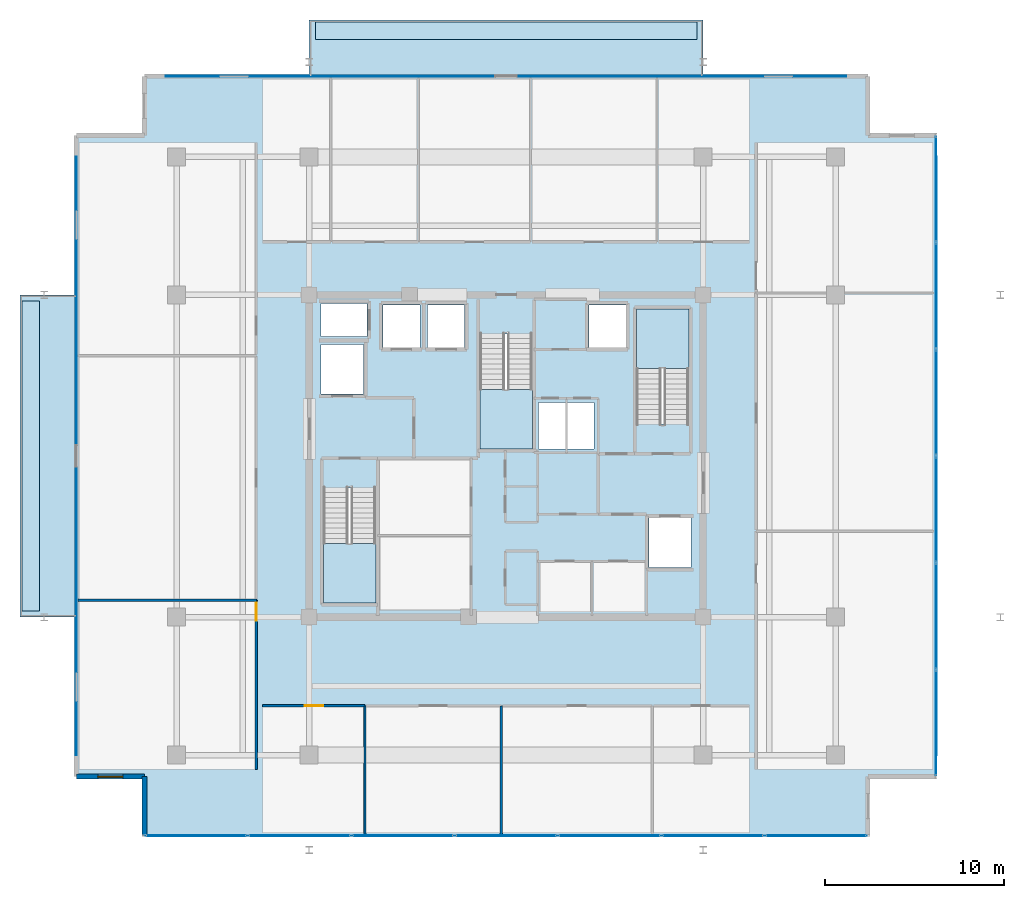
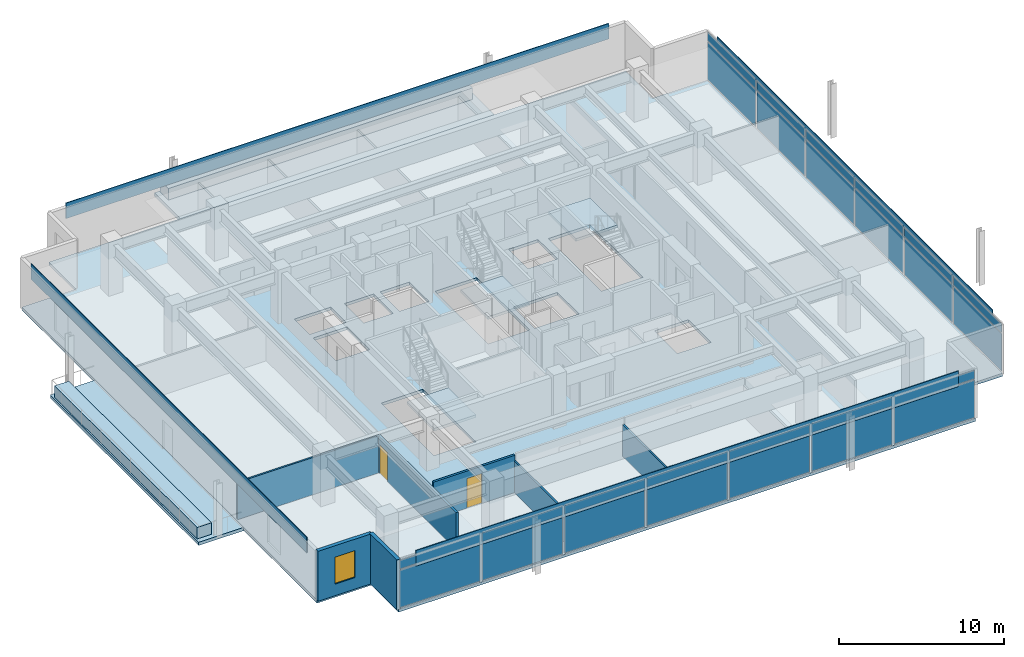
# One storey, part 10 of 18: 30 plates, 8 slabs, 7 walls, 2 doors, 1 window, 3 openings, 5 elements without a shape of their own.
"""IFC4 building model written with IfcOpenShell, lengths in metres."""

from ifc_helpers import new_model, si_unit, direction, frame, frame_2d, origin, origin_2d, place, context, subcontext, project, spatial, polyline, rectangle, outline, extrude, material, layer, layer_set, type_object, element, fill, aggregate, save


model = new_model("IFC4")

# Units and contexts
model_context = context("Model", 3, precision=1e-05, world=origin(), true_north=direction((0.0, 1.0)))
body_context = subcontext(model_context, "Body", "Model", "MODEL_VIEW")
ifc_project = project(units=[si_unit("LENGTHUNIT", "METRE"), si_unit("AREAUNIT", "SQUARE_METRE"), si_unit("VOLUMEUNIT", "CUBIC_METRE"), si_unit("PLANEANGLEUNIT", "RADIAN"), si_unit("MASSUNIT", "GRAM", prefix="KILO")], contexts=[model_context])

# Site, building, storey
site_placement = place(None, origin())
site = spatial("IfcSite", under=ifc_project, at=site_placement, CompositionType="ELEMENT")
building_placement = place(site_placement, origin())
building = spatial("IfcBuilding", under=site, at=building_placement, Name="Kovane Verandah Tower", CompositionType="ELEMENT")
storey_placement = place(building_placement, frame((0.0, 0.0, 338.800048828125)))
storey = spatial("IfcBuildingStorey", under=building, at=storey_placement, Name="L79", CompositionType="ELEMENT", Elevation=338.800048828125)

# Curtain wall, plates
ifc_material_1 = material(Name="Champagne Anodised Aluminium Frame with Low-E Clear Laminated Glass", Category="aluminium")
curtain_wall_type = type_object("IfcCurtainWallType", Name="CW-SYS-05-HIGH", PredefinedType="NOTDEFINED", material=ifc_material_1)
curtain_wall_1_placement = place(storey_placement, origin())
curtain_wall_1 = element("IfcCurtainWall", 1, at=curtain_wall_1_placement, inside=storey, type_object=curtain_wall_type, Name="L79 S Unitised Curtain Wall", PredefinedType="NOTDEFINED")
ifc_material_2 = material(Name="Pale Champagne Anodised Aluminium Insulated Spandrel", Category="aluminium")
ifc_layer_1 = layer(ifc_material_2, 0.0400390625)
ifc_layer_set_1 = layer_set([ifc_layer_1], Name="Pale Champagne Anodised Aluminium Insulated Spandrel")
plate_type_1 = type_object("IfcPlateType", Name="PL-CW-SPD-40", PredefinedType="SHEET", material=ifc_layer_set_1)
plate_1_placement = place(storey_placement, frame((22.685791015625, 6.300048828125, 2.97021484375), z_axis=(0.0, 0.0, 1.0), x_axis=(1.0, 0.0, 0.0)))
plate_1 = element("IfcPlate", 2, at=plate_1_placement, type_object=plate_type_1, Name="L79 S Unitised Curtain Wall Spandrel Panel 1", PredefinedType="SHEET", context=body_context, shape_type="SweptSolid", body=[
    extrude(rectangle(XDim=5.63134765625, YDim=0.0400390625, at=origin_2d()), origin(), (0.0, 0.0, 1.0), 0.639892578125),
])
plate_2_placement = place(storey_placement, frame((28.45703125, 6.300048828125, 2.97021484375), z_axis=(0.0, 0.0, 1.0), x_axis=(1.0, 0.0, 0.0)))
plate_2 = element("IfcPlate", 3, at=plate_2_placement, type_object=plate_type_1, Name="L79 S Unitised Curtain Wall Spandrel Panel 2", PredefinedType="SHEET", context=body_context, shape_type="SweptSolid", body=[
    extrude(rectangle(XDim=5.63134765625, YDim=0.0400390625, at=origin_2d()), origin(), (0.0, 0.0, 1.0), 0.639892578125),
])
plate_3_placement = place(storey_placement, frame((34.228515625, 6.300048828125, 2.97021484375), z_axis=(0.0, 0.0, 1.0), x_axis=(1.0, 0.0, 0.0)))
plate_3 = element("IfcPlate", 4, at=plate_3_placement, type_object=plate_type_1, Name="L79 S Unitised Curtain Wall Spandrel Panel 3", PredefinedType="SHEET", context=body_context, shape_type="SweptSolid", body=[
    extrude(rectangle(XDim=5.63134765625, YDim=0.0400390625, at=origin_2d()), origin(), (0.0, 0.0, 1.0), 0.639892578125),
])
plate_4_placement = place(storey_placement, frame((40.0, 6.300048828125, 2.97021484375), z_axis=(0.0, 0.0, 1.0), x_axis=(1.0, 0.0, 0.0)))
plate_4 = element("IfcPlate", 5, at=plate_4_placement, type_object=plate_type_1, Name="L79 S Unitised Curtain Wall Spandrel Panel 4", PredefinedType="SHEET", context=body_context, shape_type="SweptSolid", body=[
    extrude(rectangle(XDim=5.63134765625, YDim=0.0400390625, at=origin_2d()), origin(), (0.0, 0.0, 1.0), 0.639892578125),
])
plate_5_placement = place(storey_placement, frame((45.771484375, 6.300048828125, 2.97021484375), z_axis=(0.0, 0.0, 1.0), x_axis=(1.0, 0.0, 0.0)))
plate_5 = element("IfcPlate", 6, at=plate_5_placement, type_object=plate_type_1, Name="L79 S Unitised Curtain Wall Spandrel Panel 5", PredefinedType="SHEET", context=body_context, shape_type="SweptSolid", body=[
    extrude(rectangle(XDim=5.63134765625, YDim=0.0400390625, at=origin_2d()), origin(), (0.0, 0.0, 1.0), 0.639892578125),
])
plate_6_placement = place(storey_placement, frame((51.54296875, 6.300048828125, 2.97021484375), z_axis=(0.0, 0.0, 1.0), x_axis=(1.0, 0.0, 0.0)))
plate_6 = element("IfcPlate", 7, at=plate_6_placement, type_object=plate_type_1, Name="L79 S Unitised Curtain Wall Spandrel Panel 6", PredefinedType="SHEET", context=body_context, shape_type="SweptSolid", body=[
    extrude(rectangle(XDim=5.63134765625, YDim=0.0400390625, at=origin_2d()), origin(), (0.0, 0.0, 1.0), 0.639892578125),
])
plate_7_placement = place(storey_placement, frame((57.314208984375, 6.300048828125, 2.97021484375), z_axis=(0.0, 0.0, 1.0), x_axis=(1.0, 0.0, 0.0)))
plate_7 = element("IfcPlate", 8, at=plate_7_placement, type_object=plate_type_1, Name="L79 S Unitised Curtain Wall Spandrel Panel 7", PredefinedType="SHEET", context=body_context, shape_type="SweptSolid", body=[
    extrude(rectangle(XDim=5.63134765625, YDim=0.0400390625, at=origin_2d()), origin(), (0.0, 0.0, 1.0), 0.639892578125),
])

curtain_wall_2_placement = place(storey_placement, origin())
curtain_wall_2 = element("IfcCurtainWall", 9, at=curtain_wall_2_placement, inside=storey, type_object=curtain_wall_type, Name="L79 E Unitised Curtain Wall", PredefinedType="NOTDEFINED")
plate_8_placement = place(storey_placement, frame((64.0, 12.583251953125, 2.97021484375), z_axis=(0.0, 0.0, 1.0), x_axis=(0.0, 1.0, 0.0)))
plate_8 = element("IfcPlate", 10, at=plate_8_placement, type_object=plate_type_1, Name="L79 E Unitised Curtain Wall Spandrel Panel 1", PredefinedType="SHEET", context=body_context, shape_type="SweptSolid", body=[
    extrude(rectangle(XDim=5.82666015625, YDim=0.0400390625, at=origin_2d()), origin(), (0.0, 0.0, 1.0), 0.639892578125),
])
plate_9_placement = place(storey_placement, frame((64.0, 18.550048828125, 2.97021484375), z_axis=(0.0, 0.0, 1.0), x_axis=(0.0, 1.0, 0.0)))
plate_9 = element("IfcPlate", 11, at=plate_9_placement, type_object=plate_type_1, Name="L79 E Unitised Curtain Wall Spandrel Panel 2", PredefinedType="SHEET", context=body_context, shape_type="SweptSolid", body=[
    extrude(rectangle(XDim=5.82666015625, YDim=0.0400390625, at=origin_2d()), origin(), (0.0, 0.0, 1.0), 0.639892578125),
])
plate_10_placement = place(storey_placement, frame((64.0, 24.5166015625, 2.97021484375), z_axis=(0.0, 0.0, 1.0), x_axis=(0.0, 1.0, 0.0)))
plate_10 = element("IfcPlate", 12, at=plate_10_placement, type_object=plate_type_1, Name="L79 E Unitised Curtain Wall Spandrel Panel 3", PredefinedType="SHEET", context=body_context, shape_type="SweptSolid", body=[
    extrude(rectangle(XDim=5.82666015625, YDim=0.0400390625, at=origin_2d()), origin(), (0.0, 0.0, 1.0), 0.639892578125),
])
plate_11_placement = place(storey_placement, frame((64.0, 30.4833984375, 2.97021484375), z_axis=(0.0, 0.0, 1.0), x_axis=(0.0, 1.0, 0.0)))
plate_11 = element("IfcPlate", 13, at=plate_11_placement, type_object=plate_type_1, Name="L79 E Unitised Curtain Wall Spandrel Panel 4", PredefinedType="SHEET", context=body_context, shape_type="SweptSolid", body=[
    extrude(rectangle(XDim=5.82666015625, YDim=0.0400390625, at=origin_2d()), origin(), (0.0, 0.0, 1.0), 0.639892578125),
])
plate_12_placement = place(storey_placement, frame((64.0, 36.449951171875, 2.97021484375), z_axis=(0.0, 0.0, 1.0), x_axis=(0.0, 1.0, 0.0)))
plate_12 = element("IfcPlate", 14, at=plate_12_placement, type_object=plate_type_1, Name="L79 E Unitised Curtain Wall Spandrel Panel 5", PredefinedType="SHEET", context=body_context, shape_type="SweptSolid", body=[
    extrude(rectangle(XDim=5.82666015625, YDim=0.0400390625, at=origin_2d()), origin(), (0.0, 0.0, 1.0), 0.639892578125),
])
plate_13_placement = place(storey_placement, frame((64.0, 42.416748046875, 2.97021484375), z_axis=(0.0, 0.0, 1.0), x_axis=(0.0, 1.0, 0.0)))
plate_13 = element("IfcPlate", 15, at=plate_13_placement, type_object=plate_type_1, Name="L79 E Unitised Curtain Wall Spandrel Panel 6", PredefinedType="SHEET", context=body_context, shape_type="SweptSolid", body=[
    extrude(rectangle(XDim=5.82666015625, YDim=0.0400390625, at=origin_2d()), origin(), (0.0, 0.0, 1.0), 0.639892578125),
])

# Plate
ifc_material_3 = material(Name="Clear Low-E Laminated Double Glazing", Category="glass")
ifc_layer_2 = layer(ifc_material_3, 0.031982421875)
ifc_layer_set_2 = layer_set([ifc_layer_2], Name="Clear Low-E Laminated Double Glazing")
plate_type_2 = type_object("IfcPlateType", Name="PL-CW-VIS-32", PredefinedType="CURTAIN_PANEL", material=ifc_layer_set_2)
plate_14_placement = place(storey_placement, frame((22.685791015625, 6.300048828125, 0.099853515625), z_axis=(0.0, 0.0, 1.0), x_axis=(1.0, 0.0, 0.0)))
plate_14 = element("IfcPlate", 16, at=plate_14_placement, type_object=plate_type_2, Name="L79 S Unitised Curtain Wall Vision Panel 1", PredefinedType="CURTAIN_PANEL", context=body_context, shape_type="SweptSolid", body=[
    extrude(rectangle(XDim=5.63134765625, YDim=0.031982421875, at=origin_2d()), origin(), (0.0, 0.0, 1.0), 2.77001953125),
])

plate_15_placement = place(storey_placement, frame((28.45703125, 6.300048828125, 0.099853515625), z_axis=(0.0, 0.0, 1.0), x_axis=(1.0, 0.0, 0.0)))
plate_15 = element("IfcPlate", 17, at=plate_15_placement, type_object=plate_type_2, Name="L79 S Unitised Curtain Wall Vision Panel 2", PredefinedType="CURTAIN_PANEL", context=body_context, shape_type="SweptSolid", body=[
    extrude(rectangle(XDim=5.63134765625, YDim=0.031982421875, at=origin_2d()), origin(), (0.0, 0.0, 1.0), 2.77001953125),
])

plate_16_placement = place(storey_placement, frame((34.228515625, 6.300048828125, 0.099853515625), z_axis=(0.0, 0.0, 1.0), x_axis=(1.0, 0.0, 0.0)))
plate_16 = element("IfcPlate", 18, at=plate_16_placement, type_object=plate_type_2, Name="L79 S Unitised Curtain Wall Vision Panel 3", PredefinedType="CURTAIN_PANEL", context=body_context, shape_type="SweptSolid", body=[
    extrude(rectangle(XDim=5.63134765625, YDim=0.031982421875, at=origin_2d()), origin(), (0.0, 0.0, 1.0), 2.77001953125),
])

plate_17_placement = place(storey_placement, frame((40.0, 6.300048828125, 0.099853515625), z_axis=(0.0, 0.0, 1.0), x_axis=(1.0, 0.0, 0.0)))
plate_17 = element("IfcPlate", 19, at=plate_17_placement, type_object=plate_type_2, Name="L79 S Unitised Curtain Wall Vision Panel 4", PredefinedType="CURTAIN_PANEL", context=body_context, shape_type="SweptSolid", body=[
    extrude(rectangle(XDim=5.63134765625, YDim=0.031982421875, at=origin_2d()), origin(), (0.0, 0.0, 1.0), 2.77001953125),
])

plate_18_placement = place(storey_placement, frame((45.771484375, 6.300048828125, 0.099853515625), z_axis=(0.0, 0.0, 1.0), x_axis=(1.0, 0.0, 0.0)))
plate_18 = element("IfcPlate", 20, at=plate_18_placement, type_object=plate_type_2, Name="L79 S Unitised Curtain Wall Vision Panel 5", PredefinedType="CURTAIN_PANEL", context=body_context, shape_type="SweptSolid", body=[
    extrude(rectangle(XDim=5.63134765625, YDim=0.031982421875, at=origin_2d()), origin(), (0.0, 0.0, 1.0), 2.77001953125),
])

plate_19_placement = place(storey_placement, frame((51.54296875, 6.300048828125, 0.099853515625), z_axis=(0.0, 0.0, 1.0), x_axis=(1.0, 0.0, 0.0)))
plate_19 = element("IfcPlate", 21, at=plate_19_placement, type_object=plate_type_2, Name="L79 S Unitised Curtain Wall Vision Panel 6", PredefinedType="CURTAIN_PANEL", context=body_context, shape_type="SweptSolid", body=[
    extrude(rectangle(XDim=5.63134765625, YDim=0.031982421875, at=origin_2d()), origin(), (0.0, 0.0, 1.0), 2.77001953125),
])

plate_20_placement = place(storey_placement, frame((57.314208984375, 6.300048828125, 0.099853515625), z_axis=(0.0, 0.0, 1.0), x_axis=(1.0, 0.0, 0.0)))
plate_20 = element("IfcPlate", 22, at=plate_20_placement, type_object=plate_type_2, Name="L79 S Unitised Curtain Wall Vision Panel 7", PredefinedType="CURTAIN_PANEL", context=body_context, shape_type="SweptSolid", body=[
    extrude(rectangle(XDim=5.63134765625, YDim=0.031982421875, at=origin_2d()), origin(), (0.0, 0.0, 1.0), 2.77001953125),
])

aggregate(curtain_wall_1, [plate_14, plate_1, plate_15, plate_2, plate_16, plate_3, plate_17, plate_4, plate_18, plate_5, plate_19, plate_6, plate_20, plate_7])

plate_21_placement = place(storey_placement, frame((64.0, 12.583251953125, 0.099853515625), z_axis=(0.0, 0.0, 1.0), x_axis=(0.0, 1.0, 0.0)))
plate_21 = element("IfcPlate", 23, at=plate_21_placement, type_object=plate_type_2, Name="L79 E Unitised Curtain Wall Vision Panel 1", PredefinedType="CURTAIN_PANEL", context=body_context, shape_type="SweptSolid", body=[
    extrude(rectangle(XDim=5.82666015625, YDim=0.031982421875, at=origin_2d()), origin(), (0.0, 0.0, 1.0), 2.77001953125),
])

plate_22_placement = place(storey_placement, frame((64.0, 18.550048828125, 0.099853515625), z_axis=(0.0, 0.0, 1.0), x_axis=(0.0, 1.0, 0.0)))
plate_22 = element("IfcPlate", 24, at=plate_22_placement, type_object=plate_type_2, Name="L79 E Unitised Curtain Wall Vision Panel 2", PredefinedType="CURTAIN_PANEL", context=body_context, shape_type="SweptSolid", body=[
    extrude(rectangle(XDim=5.82666015625, YDim=0.031982421875, at=origin_2d()), origin(), (0.0, 0.0, 1.0), 2.77001953125),
])

plate_23_placement = place(storey_placement, frame((64.0, 24.5166015625, 0.099853515625), z_axis=(0.0, 0.0, 1.0), x_axis=(0.0, 1.0, 0.0)))
plate_23 = element("IfcPlate", 25, at=plate_23_placement, type_object=plate_type_2, Name="L79 E Unitised Curtain Wall Vision Panel 3", PredefinedType="CURTAIN_PANEL", context=body_context, shape_type="SweptSolid", body=[
    extrude(rectangle(XDim=5.82666015625, YDim=0.031982421875, at=origin_2d()), origin(), (0.0, 0.0, 1.0), 2.77001953125),
])

plate_24_placement = place(storey_placement, frame((64.0, 30.4833984375, 0.099853515625), z_axis=(0.0, 0.0, 1.0), x_axis=(0.0, 1.0, 0.0)))
plate_24 = element("IfcPlate", 26, at=plate_24_placement, type_object=plate_type_2, Name="L79 E Unitised Curtain Wall Vision Panel 4", PredefinedType="CURTAIN_PANEL", context=body_context, shape_type="SweptSolid", body=[
    extrude(rectangle(XDim=5.82666015625, YDim=0.031982421875, at=origin_2d()), origin(), (0.0, 0.0, 1.0), 2.77001953125),
])

plate_25_placement = place(storey_placement, frame((64.0, 36.449951171875, 0.099853515625), z_axis=(0.0, 0.0, 1.0), x_axis=(0.0, 1.0, 0.0)))
plate_25 = element("IfcPlate", 27, at=plate_25_placement, type_object=plate_type_2, Name="L79 E Unitised Curtain Wall Vision Panel 5", PredefinedType="CURTAIN_PANEL", context=body_context, shape_type="SweptSolid", body=[
    extrude(rectangle(XDim=5.82666015625, YDim=0.031982421875, at=origin_2d()), origin(), (0.0, 0.0, 1.0), 2.77001953125),
])

plate_26_placement = place(storey_placement, frame((64.0, 42.416748046875, 0.099853515625), z_axis=(0.0, 0.0, 1.0), x_axis=(0.0, 1.0, 0.0)))
plate_26 = element("IfcPlate", 28, at=plate_26_placement, type_object=plate_type_2, Name="L79 E Unitised Curtain Wall Vision Panel 6", PredefinedType="CURTAIN_PANEL", context=body_context, shape_type="SweptSolid", body=[
    extrude(rectangle(XDim=5.82666015625, YDim=0.031982421875, at=origin_2d()), origin(), (0.0, 0.0, 1.0), 2.77001953125),
])

aggregate(curtain_wall_2, [plate_21, plate_8, plate_22, plate_9, plate_23, plate_10, plate_24, plate_11, plate_25, plate_12, plate_26, plate_13])

# Plates
ifc_material_4 = material(Name="Perforated Pale Champagne Anodised Aluminium Solar Screen", Category="aluminium")
ifc_layer_3 = layer(ifc_material_4, 0.050048828125)
ifc_layer_set_3 = layer_set([ifc_layer_3], Name="Perforated Pale Champagne Anodised Aluminium Solar Screen")
plate_type_3 = type_object("IfcPlateType", Name="PL-SCREEN-50", PredefinedType="USERDEFINED", material=ifc_layer_set_3)
plate_27_placement = place(storey_placement, frame((40.0, 6.284912109375, 2.800048828125), z_axis=(0.0, 0.0, 1.0), x_axis=(1.0, 0.0, 0.0)))
element("IfcPlate", 29, at=plate_27_placement, inside=storey, type_object=plate_type_3, Name="L79 S Perforated Champagne-Gold Solar Screen", ObjectType="SCREEN", PredefinedType="USERDEFINED", context=body_context, shape_type="SweptSolid", body=[
    extrude(rectangle(XDim=38.0, YDim=0.050048828125, at=origin_2d()), origin(), (0.0, 0.0, 1.0), 1.14990234375),
])
plate_28_placement = place(storey_placement, frame((64.014892578125, 27.5, 2.800048828125), z_axis=(0.0, 0.0, 1.0), x_axis=(0.0, 1.0, 0.0)))
element("IfcPlate", 30, at=plate_28_placement, inside=storey, type_object=plate_type_3, Name="L79 E Perforated Champagne-Gold Solar Screen", ObjectType="SCREEN", PredefinedType="USERDEFINED", context=body_context, shape_type="SweptSolid", body=[
    extrude(rectangle(XDim=33.39990234375, YDim=0.050048828125, at=origin_2d()), origin(), (0.0, 0.0, 1.0), 1.14990234375),
])
plate_29_placement = place(storey_placement, frame((40.0, 48.715087890625, 2.800048828125), z_axis=(0.0, 0.0, 1.0), x_axis=(-1.0, 0.0, 0.0)))
element("IfcPlate", 31, at=plate_29_placement, inside=storey, type_object=plate_type_3, Name="L79 N Perforated Champagne-Gold Solar Screen", ObjectType="SCREEN", PredefinedType="USERDEFINED", context=body_context, shape_type="SweptSolid", body=[
    extrude(rectangle(XDim=38.0, YDim=0.050048828125, at=origin_2d()), origin(), (0.0, 0.0, 1.0), 1.14990234375),
])
plate_30_placement = place(storey_placement, frame((15.985107421875, 27.5, 2.800048828125), z_axis=(0.0, 0.0, 1.0), x_axis=(0.0, -1.0, 0.0)))
element("IfcPlate", 32, at=plate_30_placement, inside=storey, type_object=plate_type_3, Name="L79 W Perforated Champagne-Gold Solar Screen", ObjectType="SCREEN", PredefinedType="USERDEFINED", context=body_context, shape_type="SweptSolid", body=[
    extrude(rectangle(XDim=33.39990234375, YDim=0.050048828125, at=origin_2d()), origin(), (0.0, 0.0, 1.0), 1.14990234375),
])

# Slabs
ifc_material_5 = material(Name="Concrete C45/55", Category="concrete")
ifc_layer_4 = layer(ifc_material_5, 0.239990234375)
ifc_layer_set_4 = layer_set([ifc_layer_4], Name="Concrete C45/55")
slab_type_1 = type_object("IfcSlabType", Name="SL-BALC-240", PredefinedType="FLOOR", material=ifc_layer_set_4)
slab_1_placement = place(storey_placement, frame((0.0, 0.0, -0.239990234375)))
element("IfcSlab", 33, at=slab_1_placement, inside=storey, type_object=slab_type_1, Name="L79 N Planted Verandah Balcony Slab", PredefinedType="FLOOR", context=body_context, shape_type="SweptSolid", body=[
    extrude(outline(polyline([(29.0, 48.699951171875), (51.0, 48.699951171875), (51.0, 51.85009765625), (29.0, 51.85009765625), (29.0, 48.699951171875)])), origin(), (0.0, 0.0, 1.0), 0.239990234375),
])
slab_2_placement = place(storey_placement, frame((0.0, 0.0, -0.239990234375)))
element("IfcSlab", 34, at=slab_2_placement, inside=storey, type_object=slab_type_1, Name="L79 W Planted Verandah Balcony Slab", PredefinedType="FLOOR", context=body_context, shape_type="SweptSolid", body=[
    extrude(outline(polyline([(12.85009765625, 18.5), (16.0, 18.5), (16.0, 36.5), (12.85009765625, 36.5), (12.85009765625, 18.5)])), origin(), (0.0, 0.0, 1.0), 0.239990234375),
])
ifc_layer_5 = layer(ifc_material_5, 0.215087890625)
ifc_layer_set_5 = layer_set([ifc_layer_5], Name="Concrete C45/55")
slab_type_2 = type_object("IfcSlabType", Name="SL-HIGH-215", PredefinedType="FLOOR", material=ifc_layer_set_5)
slab_3_placement = place(storey_placement, frame((0.0, 0.0, -0.215087890625)))
element("IfcSlab", 35, at=slab_3_placement, inside=storey, type_object=slab_type_2, Name="L79 Structural Floor Slab", PredefinedType="FLOOR", context=body_context, shape_type="SweptSolid", body=[
    extrude(outline(polyline([(19.800048828125, 6.300048828125), (60.199951171875, 6.300048828125), (60.199951171875, 9.60009765625), (64.0, 9.60009765625), (64.0, 45.39990234375), (60.199951171875, 45.39990234375), (60.199951171875, 48.699951171875), (19.800048828125, 48.699951171875), (19.800048828125, 45.39990234375), (16.0, 45.39990234375), (16.0, 9.60009765625), (19.800048828125, 9.60009765625), (19.800048828125, 6.300048828125)]), holes=[polyline([(29.800048828125, 19.300048828125), (32.719970703125, 19.300048828125), (32.719970703125, 25.705078125), (29.800048828125, 25.705078125), (29.800048828125, 19.300048828125)]), polyline([(47.280029296875, 29.294921875), (50.199951171875, 29.294921875), (50.199951171875, 35.699951171875), (47.280029296875, 35.699951171875), (47.280029296875, 29.294921875)]), polyline([(38.5400390625, 27.89990234375), (41.4599609375, 27.89990234375), (41.4599609375, 34.304931640625), (38.5400390625, 34.304931640625), (38.5400390625, 27.89990234375)]), polyline([(29.669921875, 30.969970703125), (32.030029296875, 30.969970703125), (32.030029296875, 33.72998046875), (29.669921875, 33.72998046875), (29.669921875, 30.969970703125)]), polyline([(47.969970703125, 21.27001953125), (50.330078125, 21.27001953125), (50.330078125, 24.030029296875), (47.969970703125, 24.030029296875), (47.969970703125, 21.27001953125)]), polyline([(29.669921875, 34.169921875), (32.22998046875, 34.169921875), (32.22998046875, 36.030029296875), (29.669921875, 36.030029296875), (29.669921875, 34.169921875)]), polyline([(33.1201171875, 33.570068359375), (35.179931640625, 33.570068359375), (35.179931640625, 35.929931640625), (33.1201171875, 35.929931640625), (33.1201171875, 33.570068359375)]), polyline([(35.6201171875, 33.570068359375), (37.679931640625, 33.570068359375), (37.679931640625, 35.929931640625), (35.6201171875, 35.929931640625), (35.6201171875, 33.570068359375)]), polyline([(44.6201171875, 33.570068359375), (46.679931640625, 33.570068359375), (46.679931640625, 35.929931640625), (44.6201171875, 35.929931640625), (44.6201171875, 33.570068359375)]), polyline([(41.800048828125, 27.89990234375), (44.89990234375, 27.89990234375), (44.89990234375, 30.5), (41.800048828125, 30.5), (41.800048828125, 27.89990234375)])]), origin(), (0.0, 0.0, 1.0), 0.215087890625),
])

# Stair, slab
stair_type = type_object("IfcStairType", Name="ST-CORE-1380", PredefinedType="HALF_TURN_STAIR", material=ifc_material_5)
stair_1_placement = place(storey_placement, origin())
stair_1 = element("IfcStair", 36, at=stair_1_placement, inside=storey, type_object=stair_type, Name="L79 Exit Stair ST-01", PredefinedType="HALF_TURN_STAIR")
ifc_layer_6 = layer(ifc_material_5, 0.199951171875)
ifc_layer_set_6 = layer_set([ifc_layer_6], Name="Concrete C45/55")
slab_type_3 = type_object("IfcSlabType", Name="SL-LAND-200", PredefinedType="LANDING", material=ifc_layer_set_6)
slab_4_placement = place(storey_placement, frame((0.0, 0.0, 1.800048828125)))
slab_4 = element("IfcSlab", 37, at=slab_4_placement, type_object=slab_type_3, Name="ST-01 landing 1", PredefinedType="LANDING", context=body_context, shape_type="SweptSolid", body=[
    extrude(outline(polyline([(29.800048828125, 22.614990234375), (29.800048828125, 19.300048828125), (32.719970703125, 19.300048828125), (32.719970703125, 22.614990234375), (29.800048828125, 22.614990234375)])), origin(), (0.0, 0.0, 1.0), 0.199951171875),
])
aggregate(stair_1, [slab_4])

stair_2_placement = place(storey_placement, origin())
stair_2 = element("IfcStair", 38, at=stair_2_placement, inside=storey, type_object=stair_type, Name="L79 Exit Stair ST-02", PredefinedType="HALF_TURN_STAIR")
slab_5_placement = place(storey_placement, frame((0.0, 0.0, 1.800048828125)))
slab_5 = element("IfcSlab", 39, at=slab_5_placement, type_object=slab_type_3, Name="ST-02 landing 1", PredefinedType="LANDING", context=body_context, shape_type="SweptSolid", body=[
    extrude(outline(polyline([(50.199951171875, 32.385009765625), (50.199951171875, 35.699951171875), (47.280029296875, 35.699951171875), (47.280029296875, 32.385009765625), (50.199951171875, 32.385009765625)])), origin(), (0.0, 0.0, 1.0), 0.199951171875),
])
aggregate(stair_2, [slab_5])

stair_3_placement = place(storey_placement, origin())
stair_3 = element("IfcStair", 40, at=stair_3_placement, inside=storey, type_object=stair_type, Name="L79 Exit Stair ST-03", PredefinedType="HALF_TURN_STAIR")
slab_6_placement = place(storey_placement, frame((0.0, 0.0, 1.800048828125)))
slab_6 = element("IfcSlab", 41, at=slab_6_placement, type_object=slab_type_3, Name="ST-03 landing 1", PredefinedType="LANDING", context=body_context, shape_type="SweptSolid", body=[
    extrude(outline(polyline([(38.5400390625, 31.215087890625), (38.5400390625, 27.89990234375), (41.4599609375, 27.89990234375), (41.4599609375, 31.215087890625), (38.5400390625, 31.215087890625)])), origin(), (0.0, 0.0, 1.0), 0.199951171875),
])
aggregate(stair_3, [slab_6])

# Slabs
ifc_material_6 = material(Name="Architectural Precast Concrete C45/55 Planter Trough", Category="concrete")
ifc_layer_7 = layer(ifc_material_6, 0.219970703125)
ifc_layer_set_7 = layer_set([ifc_layer_7], Name="Architectural Precast Concrete C45/55 Planter Trough")
slab_type_4 = type_object("IfcSlabType", Name="SL-PLANTER-220", PredefinedType="USERDEFINED", material=ifc_layer_set_7)
slab_7_placement = place(storey_placement, origin())
element("IfcSlab", 42, at=slab_7_placement, inside=storey, type_object=slab_type_4, Name="L79 N Structural Tree Planter", ObjectType="PLANTER", PredefinedType="USERDEFINED", context=body_context, shape_type="SweptSolid", body=[
    extrude(outline(polyline([(29.35009765625, 50.75), (50.64990234375, 50.75), (50.64990234375, 51.75), (29.35009765625, 51.75), (29.35009765625, 50.75)])), origin(), (0.0, 0.0, 1.0), 0.849853515625),
])
slab_8_placement = place(storey_placement, origin())
element("IfcSlab", 43, at=slab_8_placement, inside=storey, type_object=slab_type_4, Name="L79 W Structural Tree Planter", ObjectType="PLANTER", PredefinedType="USERDEFINED", context=body_context, shape_type="SweptSolid", body=[
    extrude(outline(polyline([(12.949951171875, 18.85009765625), (13.949951171875, 18.85009765625), (13.949951171875, 36.14990234375), (12.949951171875, 36.14990234375), (12.949951171875, 18.85009765625)])), origin(), (0.0, 0.0, 1.0), 0.849853515625),
])

# Wall, opening, door
ifc_material_7 = material(Name="Fire-Rated Gypsum Stud Partition", Category="gypsum")
ifc_layer_8 = layer(ifc_material_7, 0.14990234375)
ifc_layer_set_8 = layer_set([ifc_layer_8], Name="Fire-Rated Gypsum Stud Partition")
wall_type_1 = type_object("IfcWallType", Name="WL-COR-150", PredefinedType="PARTITIONING", material=ifc_layer_set_8)
wall_1_placement = place(storey_placement, frame((26.39990234375, 13.550048828125, 0.0), z_axis=(0.0, 0.0, 1.0), x_axis=(1.0, 0.0, 0.0)))
wall_1 = element("IfcWall", 44, at=wall_1_placement, inside=storey, type_object=wall_type_1, Name="L79 Executive Office S1 Corridor Partition", PredefinedType="PARTITIONING", context=body_context, shape_type="SweptSolid", body=[
    extrude(rectangle(XDim=5.712158203125, YDim=0.14990234375, at=frame_2d((2.85595703125, 0.0))), origin(), (0.0, 0.0, 1.0), 2.75341796875),
])
opening_1_placement = place(wall_1_placement, frame((2.345947265625, 0.0, 0.0)))
opening_1 = element("IfcOpeningElement", 45, at=opening_1_placement, cuts=wall_1, Name="Opening DR-L79-027", PredefinedType="OPENING", context=body_context, shape_type="SweptSolid", body=[
    extrude(rectangle(XDim=1.050048828125, YDim=2.199951171875, at=frame_2d((0.52490234375, 1.10009765625))), frame((0.0, 0.074951171875, 0.0), z_axis=(0.0, -1.0, 0.0), x_axis=(1.0, 0.0, 0.0)), (0.0, 0.0, 1.0), 0.14990234375),
])
ifc_material_8 = material(Name="FSC Blackbutt Timber Fire-Rated Executive Door", Category="wood")
door_type_1 = type_object("IfcDoorType", Name="DR-EXEC-1050", OperationType="SINGLE_SWING_LEFT", PredefinedType="DOOR", material=ifc_material_8)
door_1_placement = place(opening_1_placement, origin())
door_1 = element("IfcDoor", 46, at=door_1_placement, inside=storey, type_object=door_type_1, Name="L79 Executive Office S1 Entrance Door", OperationType="SINGLE_SWING_LEFT", OverallHeight=2.199951171875, OverallWidth=1.050048828125, PredefinedType="DOOR", context=body_context, shape_type="SweptSolid", body=[
    extrude(rectangle(XDim=1.050048828125, YDim=2.199951171875, at=frame_2d((0.52490234375, 1.10009765625))), frame((0.0, 0.02490234375, 0.0), z_axis=(0.0, -1.0, 0.0), x_axis=(1.0, 0.0, 0.0)), (0.0, 0.0, 1.0), 0.050048828125),
])
fill(opening_1, door_1)

wall_2_placement = place(storey_placement, frame((26.050048828125, 10.0, 0.0), z_axis=(0.0, 0.0, 1.0), x_axis=(0.0, 1.0, 0.0)))
wall_2 = element("IfcWall", 47, at=wall_2_placement, inside=storey, type_object=wall_type_1, Name="L79 Breakout Pantry W1 Corridor Partition", PredefinedType="PARTITIONING", context=body_context, shape_type="SweptSolid", body=[
    extrude(rectangle(XDim=9.449951171875, YDim=0.14990234375, at=frame_2d((4.72509765625, 0.0))), origin(), (0.0, 0.0, 1.0), 2.75341796875),
])
opening_2_placement = place(wall_2_placement, frame((8.31005859375, 0.0, 0.0)))
opening_2 = element("IfcOpeningElement", 48, at=opening_2_placement, cuts=wall_2, Name="Opening DR-L79-034", PredefinedType="OPENING", context=body_context, shape_type="SweptSolid", body=[
    extrude(rectangle(XDim=1.0, YDim=2.14990234375, at=frame_2d((0.5, 1.074951171875))), frame((0.0, 0.074951171875, 0.0), z_axis=(0.0, -1.0, 0.0), x_axis=(1.0, 0.0, 0.0)), (0.0, 0.0, 1.0), 0.14990234375),
])
ifc_material_9 = material(Name="FSC Spotted-Gum Timber Fire-Rated Office Door", Category="wood")
door_type_2 = type_object("IfcDoorType", Name="DR-OFF-1000", OperationType="SINGLE_SWING_LEFT", PredefinedType="DOOR", material=ifc_material_9)
door_2_placement = place(opening_2_placement, origin())
door_2 = element("IfcDoor", 49, at=door_2_placement, inside=storey, type_object=door_type_2, Name="L79 Breakout Pantry W1 Entrance Door", OperationType="SINGLE_SWING_LEFT", OverallHeight=2.14990234375, OverallWidth=1.0, PredefinedType="DOOR", context=body_context, shape_type="SweptSolid", body=[
    extrude(rectangle(XDim=1.0, YDim=2.14990234375, at=frame_2d((0.5, 1.074951171875))), frame((0.0, 0.02490234375, 0.0), z_axis=(0.0, -1.0, 0.0), x_axis=(1.0, 0.0, 0.0)), (0.0, 0.0, 1.0), 0.050048828125),
])
fill(opening_2, door_2)

# Walls
ifc_material_10 = material(Name="Acoustic Fire-Rated Gypsum Partition", Category="gypsum")
ifc_layer_9 = layer(ifc_material_10, 0.1201171875)
ifc_layer_set_9 = layer_set([ifc_layer_9], Name="Acoustic Fire-Rated Gypsum Partition")
wall_type_2 = type_object("IfcWallType", Name="WL-PART-120", PredefinedType="PARTITIONING", material=ifc_layer_set_9)
for number, where, z_axis, x_axis, name in (
    (50, (32.112060546875, 6.39990234375, 0.0), (0.0, 0.0, 1.0), (0.0, 1.0, 0.0), "L79 Executive Office S1 Dividing Partition"),
    (51, (39.72802734375, 6.39990234375, 0.0), (0.0, 0.0, 1.0), (0.0, 1.0, 0.0), "L79 Client Boardroom S2 Dividing Partition"),
):
    element("IfcWall", number, at=place(storey_placement, frame(where, z_axis=z_axis, x_axis=x_axis)), inside=storey, type_object=wall_type_2, Name=name, PredefinedType="PARTITIONING", context=body_context, shape_type="SweptSolid", body=[
        extrude(rectangle(XDim=7.150146484375, YDim=0.1201171875, at=frame_2d((3.5751953125, 0.0))), origin(), (0.0, 0.0, 1.0), 2.329833984375),
    ])
wall_3_placement = place(storey_placement, frame((16.10009765625, 19.449951171875, 0.0), z_axis=(0.0, 0.0, 1.0), x_axis=(1.0, 0.0, 0.0)))
element("IfcWall", 52, at=wall_3_placement, inside=storey, type_object=wall_type_2, Name="L79 Breakout Pantry W1 Dividing Partition", PredefinedType="PARTITIONING", context=body_context, shape_type="SweptSolid", body=[
    extrude(rectangle(XDim=9.949951171875, YDim=0.1201171875, at=frame_2d((4.97509765625, 0.0))), origin(), (0.0, 0.0, 1.0), 2.75341796875),
])

# Wall, opening, window
ifc_material_11 = material(Name="Concrete C45/55 Insulated Spandrel Wall", Category="concrete")
ifc_layer_10 = layer(ifc_material_11, 0.260009765625)
ifc_layer_set_10 = layer_set([ifc_layer_10], Name="Concrete C45/55 Insulated Spandrel Wall")
wall_type_3 = type_object("IfcWallType", Name="WL-SPANDREL-260", PredefinedType="PARAPET", material=ifc_layer_set_10)
wall_4_placement = place(storey_placement, frame((16.0, 9.60009765625, 0.0), z_axis=(0.0, 0.0, 1.0), x_axis=(1.0, 0.0, 0.0)))
wall_4 = element("IfcWall", 53, at=wall_4_placement, inside=storey, type_object=wall_type_3, Name="L79 SW Notch Cheek Wall 1", PredefinedType="PARAPET", context=body_context, shape_type="SweptSolid", body=[
    extrude(rectangle(XDim=3.800048828125, YDim=0.260009765625, at=frame_2d((1.89990234375, 0.0))), origin(), (0.0, 0.0, 1.0), 3.699951171875),
])
opening_3_placement = place(wall_4_placement, frame((1.199951171875, 0.0, 0.85009765625)))
opening_3 = element("IfcOpeningElement", 54, at=opening_3_placement, cuts=wall_4, Name="Opening W-01", PredefinedType="OPENING", context=body_context, shape_type="SweptSolid", body=[
    extrude(rectangle(XDim=1.39990234375, YDim=2.0, at=frame_2d((0.699951171875, 1.0))), frame((0.0, 0.1298828125, 0.0), z_axis=(0.0, -1.0, 0.0), x_axis=(1.0, 0.0, 0.0)), (0.0, 0.0, 1.0), 0.260009765625),
])
ifc_material_12 = material(Name="Clear Low-E Laminated Double Glazing in Anodised Frame", Category="glass")
window_type = type_object("IfcWindowType", Name="WN-OPER-1400x2000", PartitioningType="SINGLE_PANEL", PredefinedType="WINDOW", material=ifc_material_12)
window_placement = place(opening_3_placement, origin())
window = element("IfcWindow", 55, at=window_placement, inside=storey, type_object=window_type, Name="L79 SW Re-Entrant Corner Operable Window", OverallHeight=2.0, OverallWidth=1.39990234375, PartitioningType="SINGLE_PANEL", PredefinedType="WINDOW", context=body_context, shape_type="SweptSolid", body=[
    extrude(rectangle(XDim=1.39990234375, YDim=2.0, at=frame_2d((0.699951171875, 1.0))), frame((0.0, 0.030029296875, 0.0), z_axis=(0.0, -1.0, 0.0), x_axis=(1.0, 0.0, 0.0)), (0.0, 0.0, 1.0), 0.06005859375),
])
fill(opening_3, window)

# Wall
wall_5_placement = place(storey_placement, frame((19.800048828125, 9.60009765625, 0.0), z_axis=(0.0, 0.0, 1.0), x_axis=(0.0, -1.0, 0.0)))
element("IfcWall", 56, at=wall_5_placement, inside=storey, type_object=wall_type_3, Name="L79 SW Notch Cheek Wall 2", PredefinedType="PARAPET", context=body_context, shape_type="SweptSolid", body=[
    extrude(rectangle(XDim=3.300048828125, YDim=0.260009765625, at=frame_2d((1.64990234375, 0.0))), origin(), (0.0, 0.0, 1.0), 3.699951171875),
])

save(model, "model.ifc")
